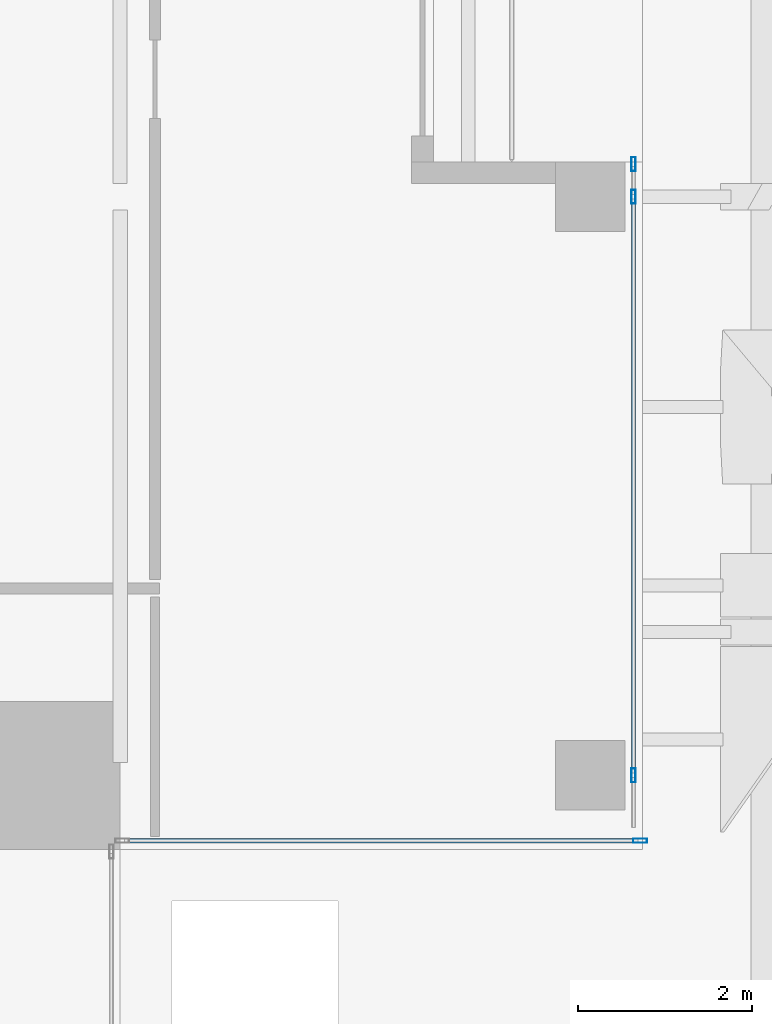
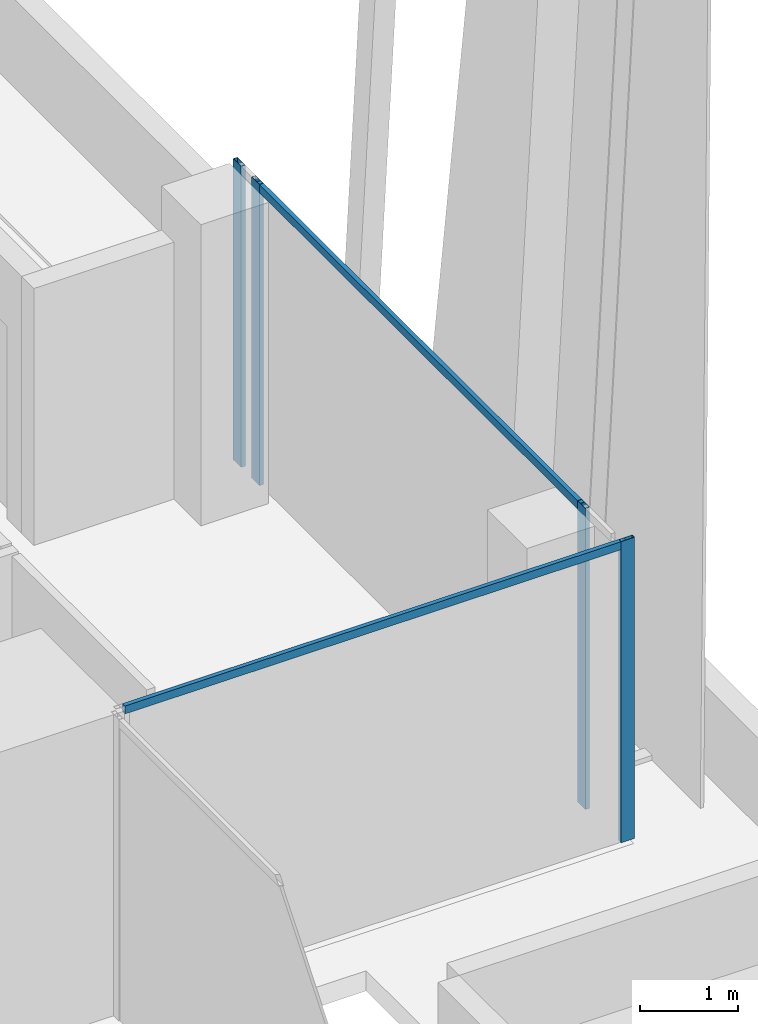
# One storey, part 8 of 32: 6 members, 2 elements without a shape of their own.
"""IFC4 building model written with IfcOpenShell, lengths in metres."""

from ifc_helpers import new_model, si_unit, direction, frame, origin, origin_2d, place, context, subcontext, project, spatial, hollow_rectangle, extrude, source, transform, mapped, material, material_profile, profile_set, type_object, element, aggregate, save


model = new_model("IFC4")

# Units and contexts
model_context = context("Model", 3, precision=1e-05, world=origin(), true_north=direction((0.0, 1.0)))
body_context = subcontext(model_context, "Body", "Model", "MODEL_VIEW")
ifc_project = project(units=[si_unit("LENGTHUNIT", "METRE"), si_unit("AREAUNIT", "SQUARE_METRE"), si_unit("VOLUMEUNIT", "CUBIC_METRE"), si_unit("PLANEANGLEUNIT", "RADIAN"), si_unit("MASSUNIT", "GRAM", prefix="KILO")], contexts=[model_context])

# Site, building, storey
site_placement = place(None, origin())
site = spatial("IfcSite", under=ifc_project, at=site_placement, CompositionType="ELEMENT")
building_placement = place(site_placement, origin())
building = spatial("IfcBuilding", under=site, at=building_placement, Name="Khomas Fold Tower", CompositionType="ELEMENT")
storey_placement = place(building_placement, frame((0.0, 0.0, 282.199951171875)))
storey = spatial("IfcBuildingStorey", under=building, at=storey_placement, Name="L63", CompositionType="ELEMENT", Elevation=282.199951171875)

# Curtain wall, member
ifc_material_1 = material(Name="Aluminium framed double glazing", Category="aluminium")
curtain_wall_type = type_object("IfcCurtainWallType", Name="SK-Unitised clear-glass wall, upper floors CW3", PredefinedType="NOTDEFINED", material=ifc_material_1)
curtain_wall_1_placement = place(storey_placement, origin())
curtain_wall_1 = element("IfcCurtainWall", 1, at=curtain_wall_1_placement, inside=storey, type_object=curtain_wall_type, Name="CW3 corner return L63 02", PredefinedType="NOTDEFINED")
ifc_material_2 = material(Name="Aluminium", Category="aluminium")
ifc_material_profile_1 = material_profile(ifc_material_2, hollow_rectangle(XDim=0.050048828125, YDim=0.159912109375, WallThickness=0.00390625, at=origin_2d()), Name="SK-Unitised clear-glass wall, upper floors mullion CW3-M")
ifc_profile_set_1 = profile_set([ifc_material_profile_1], Name="Aluminium")
member_type_1 = type_object("IfcMemberType", Name="SK-Unitised clear-glass wall, upper floors mullion CW3-M", PredefinedType="MULLION", material=ifc_profile_set_1)
shared_shape_1 = source(origin(), body_context, "Body", "SweptSolid", [
    extrude(hollow_rectangle(XDim=0.050048828125, YDim=0.159912109375, WallThickness=0.00390625, at=origin_2d()), origin(), (0.0, 0.0, 1.0), 3.75),
])
member_1_placement = place(storey_placement, frame((47.97509765625, 12.10009765625, 0.0), z_axis=(0.0, 0.0, 1.0), x_axis=(0.0, 1.0, 0.0)))
member_1 = element("IfcMember", 2, at=member_1_placement, type_object=member_type_1, Name="CW3 mullion 2", PredefinedType="MULLION", context=body_context, shape_type="MappedRepresentation", body=[
    mapped(shared_shape_1, transform((0.0, 0.0, 0.0))),
])

# Curtain wall, members
curtain_wall_2_placement = place(storey_placement, origin())
curtain_wall_2 = element("IfcCurtainWall", 3, at=curtain_wall_2_placement, inside=storey, type_object=curtain_wall_type, Name="CW3 run L63 03-0", PredefinedType="NOTDEFINED")
member_2_placement = place(storey_placement, frame((47.89990234375, 12.85009765625, 0.0), z_axis=(0.0, 0.0, 1.0), x_axis=(-1.0, 0.0, 0.0)))
member_2 = element("IfcMember", 4, at=member_2_placement, type_object=member_type_1, Name="CW3 mullion 2", PredefinedType="MULLION", context=body_context, shape_type="MappedRepresentation", body=[
    mapped(shared_shape_1, transform((0.0, 0.0, 0.0))),
])
member_3_placement = place(storey_placement, frame((47.89990234375, 19.5, 0.0), z_axis=(0.0, 0.0, 1.0), x_axis=(-1.0, 0.0, 0.0)))
member_3 = element("IfcMember", 5, at=member_3_placement, type_object=member_type_1, Name="CW3 mullion 3", PredefinedType="MULLION", context=body_context, shape_type="MappedRepresentation", body=[
    mapped(shared_shape_1, transform((0.0, 0.0, 0.0))),
])
member_4_placement = place(storey_placement, frame((47.89990234375, 19.875, 0.0), z_axis=(0.0, 0.0, 1.0), x_axis=(-1.0, 0.0, 0.0)))
member_4 = element("IfcMember", 6, at=member_4_placement, type_object=member_type_1, Name="CW3 mullion 4", PredefinedType="MULLION", context=body_context, shape_type="MappedRepresentation", body=[
    mapped(shared_shape_1, transform((0.0, 0.0, 0.0))),
])
ifc_material_3 = material(Name="Aluminium", Category="aluminium")
ifc_material_profile_2 = material_profile(ifc_material_3, hollow_rectangle(XDim=0.050048828125, YDim=0.10009765625, WallThickness=0.00390625, at=origin_2d()), Name="SK-Unitised clear-glass wall, upper floors transom CW3-T")
ifc_profile_set_2 = profile_set([ifc_material_profile_2], Name="Aluminium")
member_type_2 = type_object("IfcMemberType", Name="SK-Unitised clear-glass wall, upper floors transom CW3-T", PredefinedType="USERDEFINED", material=ifc_profile_set_2)
shared_shape_2 = source(origin(), body_context, "Body", "SweptSolid", [
    extrude(hollow_rectangle(XDim=0.050048828125, YDim=0.10009765625, WallThickness=0.00390625, at=origin_2d()), origin(), (0.0, 0.0, 1.0), 6.60009765625),
])
member_5_placement = place(storey_placement, frame((47.89990234375, 12.875, 3.699951171875), z_axis=(0.0, 1.0, 0.0), x_axis=(-1.0, 0.0, 0.0)))
member_5 = element("IfcMember", 7, at=member_5_placement, type_object=member_type_2, Name="CW3 transom 2", ObjectType="TRANSOM", PredefinedType="USERDEFINED", context=body_context, shape_type="MappedRepresentation", body=[
    mapped(shared_shape_2, transform((0.0, 0.0, 0.0))),
])
aggregate(curtain_wall_2, [member_2, member_3, member_4, member_5])

# Member
shared_shape_3 = source(origin(), body_context, "Body", "SweptSolid", [
    extrude(hollow_rectangle(XDim=0.050048828125, YDim=0.10009765625, WallThickness=0.00390625, at=origin_2d()), origin(), (0.0, 0.0, 1.0), 5.89990234375),
])
member_6_placement = place(storey_placement, frame((42.050048828125, 12.10009765625, 3.699951171875), z_axis=(1.0, 0.0, 0.0), x_axis=(0.0, 1.0, 0.0)))
member_6 = element("IfcMember", 8, at=member_6_placement, type_object=member_type_2, Name="CW3 transom 1", ObjectType="TRANSOM", PredefinedType="USERDEFINED", context=body_context, shape_type="MappedRepresentation", body=[
    mapped(shared_shape_3, transform((0.0, 0.0, 0.0))),
])

aggregate(curtain_wall_1, [member_1, member_6])

save(model, "model.ifc")
